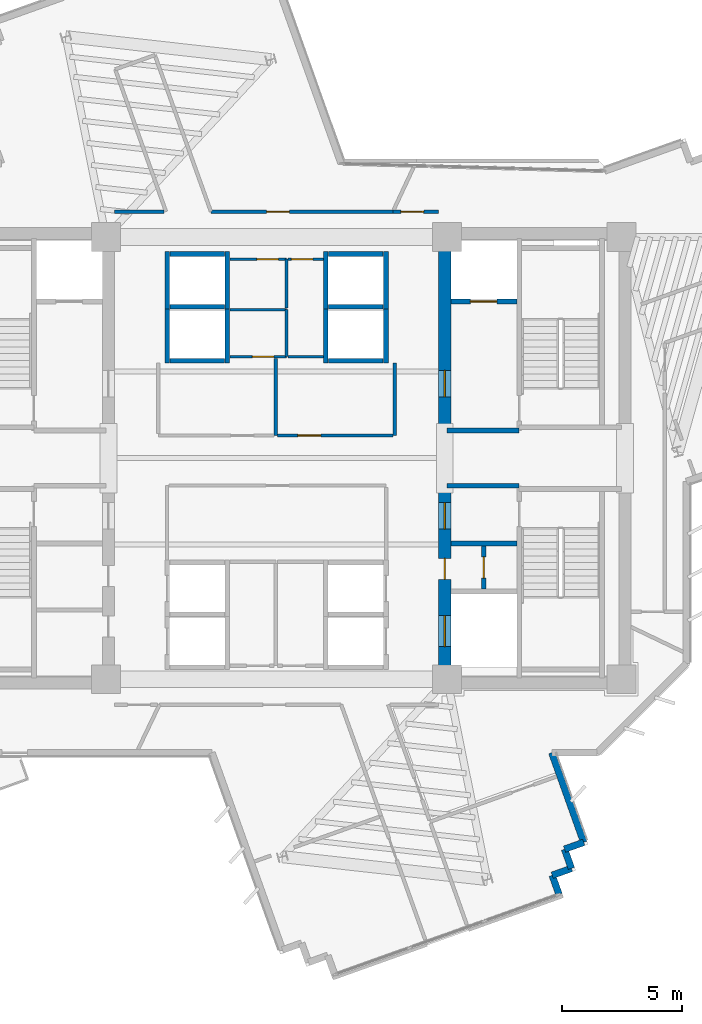
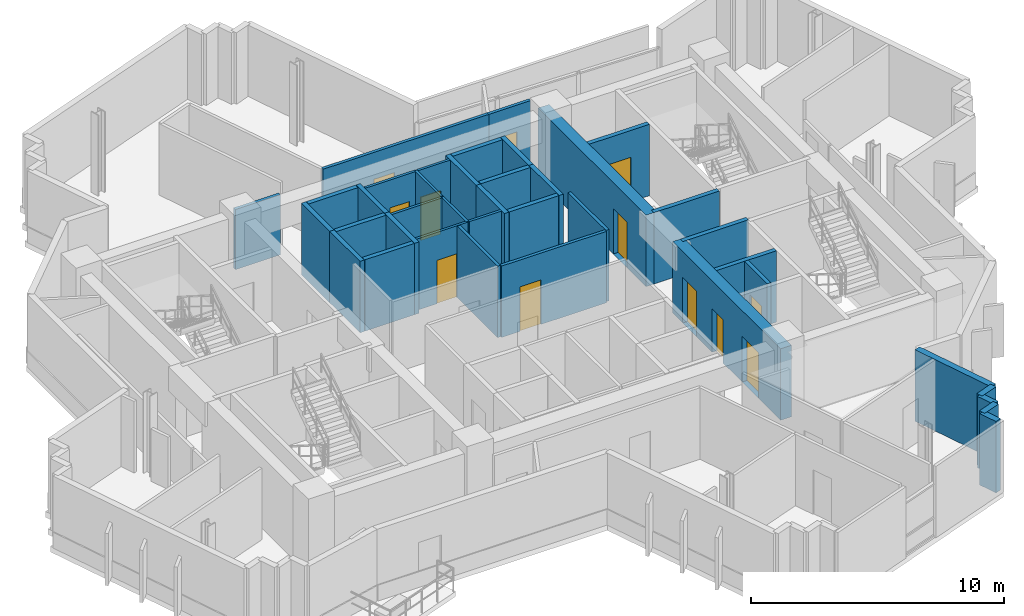
# One storey, part 8 of 13: 39 walls, 12 doors, 12 openings.
"""IFC4 building model written with IfcOpenShell, lengths in metres."""

from ifc_helpers import new_model, si_unit, direction, frame, frame_2d, origin, place, context, subcontext, project, spatial, rectangle, extrude, source, transform, mapped, material, layer, layer_set, type_object, element, fill, save


model = new_model("IFC4")

# Units and contexts
model_context = context("Model", 3, precision=1e-05, world=origin(), true_north=direction((0.0, 1.0)))
body_context = subcontext(model_context, "Body", "Model", "MODEL_VIEW")
ifc_project = project(units=[si_unit("LENGTHUNIT", "METRE"), si_unit("AREAUNIT", "SQUARE_METRE"), si_unit("VOLUMEUNIT", "CUBIC_METRE"), si_unit("PLANEANGLEUNIT", "RADIAN"), si_unit("MASSUNIT", "GRAM", prefix="KILO")], contexts=[model_context])

# Site, building, storey
site_placement = place(None, origin())
site = spatial("IfcSite", under=ifc_project, at=site_placement, CompositionType="ELEMENT")
building_placement = place(site_placement, origin())
building = spatial("IfcBuilding", under=site, at=building_placement, Name="Zahravan Cultural Tower", CompositionType="ELEMENT")
storey_placement = place(building_placement, frame((0.0, 0.0, 225.300048828125)))
storey = spatial("IfcBuildingStorey", under=building, at=storey_placement, Name="L53", CompositionType="ELEMENT", Elevation=225.300048828125)

# Wall, openings, doors
ifc_material_1 = material(Name="Concrete C60/75", Category="concrete")
ifc_layer_1 = layer(ifc_material_1, 0.5)
ifc_layer_set_1 = layer_set([ifc_layer_1], Name="Concrete C60/75")
wall_type_1 = type_object("IfcWallType", Name="CW-SHEAR-500-C60", PredefinedType="SHEAR", material=ifc_layer_set_1)
wall_1_placement = place(storey_placement, frame((43.0, 17.39990234375, 0.0), z_axis=(0.0, 0.0, 1.0), x_axis=(0.0, 1.0, 0.0)))
wall_1 = element("IfcWall", 1, at=wall_1_placement, inside=storey, type_object=wall_type_1, Name="L53 Core Shear Wall CW-E-WS-L53", PredefinedType="SHEAR", context=body_context, shape_type="SweptSolid", body=[
    extrude(rectangle(XDim=8.550048828125, YDim=0.5, at=frame_2d((4.27490234375, 0.0))), origin(), (0.0, 0.0, 1.0), 3.449951171875),
])
opening_1_placement = place(wall_1_placement, frame((6.64990234375, 0.0, 0.0)))
opening_1 = element("IfcOpeningElement", 2, at=opening_1_placement, cuts=wall_1, Name="Opening D-L53-08", PredefinedType="OPENING", context=body_context, shape_type="SweptSolid", body=[
    extrude(rectangle(XDim=1.10009765625, YDim=2.199951171875, at=frame_2d((0.550048828125, 1.10009765625))), frame((0.0, 0.260009765625, 0.0), z_axis=(0.0, -1.0, 0.0), x_axis=(1.0, 0.0, 0.0)), (0.0, 0.0, 1.0), 0.52001953125),
])
opening_2_placement = place(wall_1_placement, frame((1.75, 0.0, 0.0)))
opening_2 = element("IfcOpeningElement", 3, at=opening_2_placement, cuts=wall_1, Name="Opening LD-L53-03", PredefinedType="OPENING", context=body_context, shape_type="SweptSolid", body=[
    extrude(rectangle(XDim=1.300048828125, YDim=2.199951171875, at=frame_2d((0.64990234375, 1.10009765625))), frame((0.0, 0.260009765625, 0.0), z_axis=(0.0, -1.0, 0.0), x_axis=(1.0, 0.0, 0.0)), (0.0, 0.0, 1.0), 0.52001953125),
])
opening_3_placement = place(wall_1_placement, frame((4.550048828125, 0.0, 0.0)))
opening_3 = element("IfcOpeningElement", 4, at=opening_3_placement, cuts=wall_1, Name="Opening D-L53-11", PredefinedType="OPENING", context=body_context, shape_type="SweptSolid", body=[
    extrude(rectangle(XDim=0.8798828125, YDim=2.10009765625, at=frame_2d((0.43994140625, 1.050048828125))), frame((0.0, 0.260009765625, 0.0), z_axis=(0.0, -1.0, 0.0), x_axis=(1.0, 0.0, 0.0)), (0.0, 0.0, 1.0), 0.52001953125),
])
ifc_material_2 = material(Name="Steel ASTM A572 Grade 50", Category="steel")
door_type_1 = type_object("IfcDoorType", Name="DR-LOBBY-1100", OperationType="NOTDEFINED", PredefinedType="DOOR", material=ifc_material_2)
shared_shape_1 = source(origin(), body_context, "Body", "SweptSolid", [
    extrude(rectangle(XDim=1.10009765625, YDim=2.199951171875, at=frame_2d((0.550048828125, 1.10009765625))), frame((0.0, 0.02490234375, 0.0), z_axis=(0.0, -1.0, 0.0), x_axis=(1.0, 0.0, 0.0)), (0.0, 0.0, 1.0), 0.050048828125),
])
door_1_placement = place(opening_1_placement, origin())
door_1 = element("IfcDoor", 5, at=door_1_placement, inside=storey, type_object=door_type_1, Name="L53 Door D-L53-08", OperationType="SINGLE_SWING_RIGHT", OverallHeight=2.199951171875, OverallWidth=1.10009765625, PredefinedType="DOOR", context=body_context, shape_type="MappedRepresentation", body=[
    mapped(shared_shape_1, transform((0.0, 0.0, 0.0), x_axis=(1.0, 0.0, 0.0), y_axis=(0.0, 1.0, 0.0), z_axis=(0.0, 0.0, 1.0), scale=1.0)),
])
fill(opening_1, door_1)
door_type_2 = type_object("IfcDoorType", Name="DR-LIFT-1300", OperationType="DOUBLE_DOOR_SLIDING", PredefinedType="DOOR", material=ifc_material_2)
shared_shape_2 = source(origin(), body_context, "Body", "SweptSolid", [
    extrude(rectangle(XDim=1.300048828125, YDim=2.199951171875, at=frame_2d((0.64990234375, 1.10009765625))), frame((0.0, 0.02490234375, 0.0), z_axis=(0.0, -1.0, 0.0), x_axis=(1.0, 0.0, 0.0)), (0.0, 0.0, 1.0), 0.050048828125),
])
door_2_placement = place(opening_2_placement, origin())
door_2 = element("IfcDoor", 6, at=door_2_placement, inside=storey, type_object=door_type_2, Name="L53 Door LD-L53-03", OperationType="DOUBLE_DOOR_SLIDING", OverallHeight=2.199951171875, OverallWidth=1.300048828125, PredefinedType="DOOR", context=body_context, shape_type="MappedRepresentation", body=[
    mapped(shared_shape_2, transform((0.0, 0.0, 0.0), x_axis=(1.0, 0.0, 0.0), y_axis=(0.0, 1.0, 0.0), z_axis=(0.0, 0.0, 1.0), scale=1.0)),
])
fill(opening_2, door_2)
door_type_3 = type_object("IfcDoorType", Name="DR-SVC-880", OperationType="NOTDEFINED", PredefinedType="DOOR", material=ifc_material_2)
shared_shape_3 = source(origin(), body_context, "Body", "SweptSolid", [
    extrude(rectangle(XDim=0.8798828125, YDim=2.10009765625, at=frame_2d((0.43994140625, 1.050048828125))), frame((0.0, 0.02490234375, 0.0), z_axis=(0.0, -1.0, 0.0), x_axis=(1.0, 0.0, 0.0)), (0.0, 0.0, 1.0), 0.050048828125),
])
door_3_placement = place(opening_3_placement, origin())
door_3 = element("IfcDoor", 7, at=door_3_placement, inside=storey, type_object=door_type_3, Name="L53 Door D-L53-11", OperationType="SINGLE_SWING_LEFT", OverallHeight=2.10009765625, OverallWidth=0.8798828125, PredefinedType="DOOR", context=body_context, shape_type="MappedRepresentation", body=[
    mapped(shared_shape_3, transform((0.0, 0.0, 0.0), x_axis=(1.0, 0.0, 0.0), y_axis=(0.0, 1.0, 0.0), z_axis=(0.0, 0.0, 1.0), scale=1.0)),
])
fill(opening_3, door_3)

# Wall, opening, door
wall_2_placement = place(storey_placement, frame((43.0, 28.050048828125, 0.0), z_axis=(0.0, 0.0, 1.0), x_axis=(0.0, 1.0, 0.0)))
wall_2 = element("IfcWall", 8, at=wall_2_placement, inside=storey, type_object=wall_type_1, Name="L53 Core Shear Wall CW-E-WN-L53", PredefinedType="SHEAR", context=body_context, shape_type="SweptSolid", body=[
    extrude(rectangle(XDim=8.550048828125, YDim=0.5, at=frame_2d((4.27490234375, 0.0))), origin(), (0.0, 0.0, 1.0), 3.449951171875),
])
opening_4_placement = place(wall_2_placement, frame((1.5, 0.0, 0.0)))
opening_4 = element("IfcOpeningElement", 9, at=opening_4_placement, cuts=wall_2, Name="Opening D-L53-06", PredefinedType="OPENING", context=body_context, shape_type="SweptSolid", body=[
    extrude(rectangle(XDim=1.10009765625, YDim=2.199951171875, at=frame_2d((0.550048828125, 1.10009765625))), frame((0.0, 0.260009765625, 0.0), z_axis=(0.0, -1.0, 0.0), x_axis=(1.0, 0.0, 0.0)), (0.0, 0.0, 1.0), 0.52001953125),
])
door_4_placement = place(opening_4_placement, origin())
door_4 = element("IfcDoor", 10, at=door_4_placement, inside=storey, type_object=door_type_1, Name="L53 Door D-L53-06", OperationType="SINGLE_SWING_RIGHT", OverallHeight=2.199951171875, OverallWidth=1.10009765625, PredefinedType="DOOR", context=body_context, shape_type="MappedRepresentation", body=[
    mapped(shared_shape_1, transform((0.0, 0.0, 0.0), x_axis=(1.0, 0.0, 0.0), y_axis=(0.0, 1.0, 0.0), z_axis=(0.0, 0.0, 1.0), scale=1.0)),
])
fill(opening_4, door_4)

ifc_material_3 = material(Name="Gypsum plasterboard partition")
ifc_layer_2 = layer(ifc_material_3, 0.179931640625)
ifc_layer_set_2 = layer_set([ifc_layer_2], Name="Gypsum plasterboard partition")
wall_type_2 = type_object("IfcWallType", Name="W-COMP-180", PredefinedType="PARTITIONING", material=ifc_layer_set_2)
wall_3_placement = place(storey_placement, frame((44.6201171875, 21.550048828125, 0.0), z_axis=(0.0, 0.0, 1.0), x_axis=(0.0, 1.0, 0.0)))
wall_3 = element("IfcWall", 11, at=wall_3_placement, inside=storey, type_object=wall_type_2, Name="L53 Interior Wall 027", PredefinedType="PARTITIONING", context=body_context, shape_type="SweptSolid", body=[
    extrude(rectangle(XDim=1.800048828125, YDim=0.179931640625, at=frame_2d((0.89990234375, 0.0))), origin(), (0.0, 0.0, 1.0), 3.449951171875),
])
opening_5_placement = place(wall_3_placement, frame((0.4599609375, 0.0, 0.0)))
opening_5 = element("IfcOpeningElement", 12, at=opening_5_placement, cuts=wall_3, Name="Opening D-L53-12", PredefinedType="OPENING", context=body_context, shape_type="SweptSolid", body=[
    extrude(rectangle(XDim=0.8798828125, YDim=2.10009765625, at=frame_2d((0.43994140625, 1.050048828125))), frame((0.0, 0.099853515625, 0.0), z_axis=(0.0, -1.0, 0.0), x_axis=(1.0, 0.0, 0.0)), (0.0, 0.0, 1.0), 0.199951171875),
])
door_5_placement = place(opening_5_placement, origin())
door_5 = element("IfcDoor", 13, at=door_5_placement, inside=storey, type_object=door_type_3, Name="L53 Door D-L53-12", OperationType="SINGLE_SWING_RIGHT", OverallHeight=2.10009765625, OverallWidth=0.8798828125, PredefinedType="DOOR", context=body_context, shape_type="MappedRepresentation", body=[
    mapped(shared_shape_3, transform((0.0, 0.0, 0.0), x_axis=(1.0, 0.0, 0.0), y_axis=(0.0, 1.0, 0.0), z_axis=(0.0, 0.0, 1.0), scale=1.0)),
])
fill(opening_5, door_5)

ifc_layer_3 = layer(ifc_material_3, 0.139892578125)
ifc_layer_set_3 = layer_set([ifc_layer_3], Name="Gypsum plasterboard partition")
wall_type_3 = type_object("IfcWallType", Name="W-PART-140", PredefinedType="PARTITIONING", material=ifc_layer_set_3)
wall_4_placement = place(storey_placement, frame((40.844970703125, 27.93994140625, 0.0), z_axis=(0.0, 0.0, 1.0), x_axis=(-1.0, 0.0, 0.0)))
wall_4 = element("IfcWall", 14, at=wall_4_placement, inside=storey, type_object=wall_type_3, Name="L53 Interior Wall 082", PredefinedType="PARTITIONING", context=body_context, shape_type="SweptSolid", body=[
    extrude(rectangle(XDim=4.800048828125, YDim=0.139892578125, at=frame_2d((2.39990234375, 0.0))), origin(), (0.0, 0.0, 1.0), 3.449951171875),
])
opening_6_placement = place(wall_4_placement, frame((3.0029296875, 0.0, 0.0)))
opening_6 = element("IfcOpeningElement", 15, at=opening_6_placement, cuts=wall_4, Name="Opening D-L53-17", PredefinedType="OPENING", context=body_context, shape_type="SweptSolid", body=[
    extrude(rectangle(XDim=0.949951171875, YDim=2.14990234375, at=frame_2d((0.47509765625, 1.074951171875))), frame((0.0, 0.079833984375, 0.0), z_axis=(0.0, -1.0, 0.0), x_axis=(1.0, 0.0, 0.0)), (0.0, 0.0, 1.0), 0.159912109375),
])
ifc_material_4 = material(Name="Anodised bronze-aluminium mullion", Category="aluminium")
door_type_4 = type_object("IfcDoorType", Name="DR-ROOM-950", OperationType="NOTDEFINED", PredefinedType="DOOR", material=ifc_material_4)
shared_shape_4 = source(origin(), body_context, "Body", "SweptSolid", [
    extrude(rectangle(XDim=0.949951171875, YDim=2.14990234375, at=frame_2d((0.47509765625, 1.074951171875))), frame((0.0, 0.02490234375, 0.0), z_axis=(0.0, -1.0, 0.0), x_axis=(1.0, 0.0, 0.0)), (0.0, 0.0, 1.0), 0.050048828125),
])
door_6_placement = place(opening_6_placement, origin())
door_6 = element("IfcDoor", 16, at=door_6_placement, inside=storey, type_object=door_type_4, Name="L53 Door D-L53-17", OperationType="SINGLE_SWING_LEFT", OverallHeight=2.14990234375, OverallWidth=0.949951171875, PredefinedType="DOOR", context=body_context, shape_type="MappedRepresentation", body=[
    mapped(shared_shape_4, transform((0.0, 0.0, 0.0), x_axis=(1.0, 0.0, 0.0), y_axis=(0.0, 1.0, 0.0), z_axis=(0.0, 0.0, 1.0), scale=1.0)),
])
fill(opening_6, door_6)

wall_5_placement = place(storey_placement, frame((42.748291015625, 37.25732421875, 0.0), z_axis=(0.0, 0.0, 1.0), x_axis=(-0.999999008896, 0.001407908498, 0.0)))
wall_5 = element("IfcWall", 17, at=wall_5_placement, inside=storey, type_object=wall_type_3, Name="L53 Interior Wall 102", PredefinedType="PARTITIONING", context=body_context, shape_type="SweptSolid", body=[
    extrude(rectangle(XDim=1.907470703125, YDim=0.139892578125, at=frame_2d((0.95361328125, 0.0))), origin(), (0.0, 0.0, 1.0), 3.449951171875),
])
opening_7_placement = place(wall_5_placement, frame((0.622314453125, 0.0, 0.0)))
opening_7 = element("IfcOpeningElement", 18, at=opening_7_placement, cuts=wall_5, Name="Opening D-L53-22", PredefinedType="OPENING", context=body_context, shape_type="SweptSolid", body=[
    extrude(rectangle(XDim=0.949951171875, YDim=2.14990234375, at=frame_2d((0.47509765625, 1.074951171875))), frame((0.0, 0.079833984375, 0.0), z_axis=(0.0, -1.0, 0.0), x_axis=(1.0, 0.0, 0.0)), (0.0, 0.0, 1.0), 0.159912109375),
])
door_7_placement = place(opening_7_placement, origin())
door_7 = element("IfcDoor", 19, at=door_7_placement, inside=storey, type_object=door_type_4, Name="L53 Door D-L53-22", OperationType="SINGLE_SWING_RIGHT", OverallHeight=2.14990234375, OverallWidth=0.949951171875, PredefinedType="DOOR", context=body_context, shape_type="MappedRepresentation", body=[
    mapped(shared_shape_4, transform((0.0, 0.0, 0.0), x_axis=(1.0, 0.0, 0.0), y_axis=(0.0, 1.0, 0.0), z_axis=(0.0, 0.0, 1.0), scale=1.0)),
])
fill(opening_7, door_7)

wall_6_placement = place(storey_placement, frame((40.8408203125, 37.260009765625, 0.0), z_axis=(0.0, 0.0, 1.0), x_axis=(-1.0, 0.0, 0.0)))
wall_6 = element("IfcWall", 20, at=wall_6_placement, inside=storey, type_object=wall_type_3, Name="L53 Interior Wall 109", PredefinedType="PARTITIONING", context=body_context, shape_type="SweptSolid", body=[
    extrude(rectangle(XDim=7.5732421875, YDim=0.139892578125, at=frame_2d((3.78662109375, 0.0))), origin(), (0.0, 0.0, 1.0), 3.449951171875),
])
opening_8_placement = place(wall_6_placement, frame((4.304931640625, 0.0, 0.0)))
opening_8 = element("IfcOpeningElement", 21, at=opening_8_placement, cuts=wall_6, Name="Opening D-L53-23", PredefinedType="OPENING", context=body_context, shape_type="SweptSolid", body=[
    extrude(rectangle(XDim=0.949951171875, YDim=2.14990234375, at=frame_2d((0.47509765625, 1.074951171875))), frame((0.0, 0.079833984375, 0.0), z_axis=(0.0, -1.0, 0.0), x_axis=(1.0, 0.0, 0.0)), (0.0, 0.0, 1.0), 0.159912109375),
])
door_8_placement = place(opening_8_placement, origin())
door_8 = element("IfcDoor", 22, at=door_8_placement, inside=storey, type_object=door_type_4, Name="L53 Door D-L53-23", OperationType="SINGLE_SWING_LEFT", OverallHeight=2.14990234375, OverallWidth=0.949951171875, PredefinedType="DOOR", context=body_context, shape_type="MappedRepresentation", body=[
    mapped(shared_shape_4, transform((0.0, 0.0, 0.0), x_axis=(1.0, 0.0, 0.0), y_axis=(0.0, 1.0, 0.0), z_axis=(0.0, 0.0, 1.0), scale=1.0)),
])
fill(opening_8, door_8)

ifc_material_5 = material(Name="Concrete C45/55", Category="concrete")
ifc_layer_4 = layer(ifc_material_5, 0.199951171875)
ifc_layer_set_4 = layer_set([ifc_layer_4], Name="Concrete C45/55")
wall_type_4 = type_object("IfcWallType", Name="W-SHAFT-200", PredefinedType="SOLIDWALL", material=ifc_layer_set_4)
wall_7_placement = place(storey_placement, frame((43.25, 33.52001953125, 0.0), z_axis=(0.0, 0.0, 1.0), x_axis=(1.0, 0.0, 0.0)))
wall_7 = element("IfcWall", 23, at=wall_7_placement, inside=storey, type_object=wall_type_4, Name="L53 Interior Wall 022", PredefinedType="SOLIDWALL", context=body_context, shape_type="SweptSolid", body=[
    extrude(rectangle(XDim=2.75, YDim=0.199951171875, at=frame_2d((1.375, 0.0))), origin(), (0.0, 0.0, 1.0), 3.449951171875),
])
opening_9_placement = place(wall_7_placement, frame((0.820068359375, 0.0, 0.0)))
opening_9 = element("IfcOpeningElement", 24, at=opening_9_placement, cuts=wall_7, Name="Opening LD-L53-02", PredefinedType="OPENING", context=body_context, shape_type="SweptSolid", body=[
    extrude(rectangle(XDim=1.10009765625, YDim=2.14990234375, at=frame_2d((0.550048828125, 1.074951171875))), frame((0.0, 0.10986328125, 0.0), z_axis=(0.0, -1.0, 0.0), x_axis=(1.0, 0.0, 0.0)), (0.0, 0.0, 1.0), 0.219970703125),
])
door_type_5 = type_object("IfcDoorType", Name="DR-LIFT-1100", OperationType="DOUBLE_DOOR_SLIDING", PredefinedType="DOOR", material=ifc_material_2)
shared_shape_5 = source(origin(), body_context, "Body", "SweptSolid", [
    extrude(rectangle(XDim=1.10009765625, YDim=2.14990234375, at=frame_2d((0.550048828125, 1.074951171875))), frame((0.0, 0.02490234375, 0.0), z_axis=(0.0, -1.0, 0.0), x_axis=(1.0, 0.0, 0.0)), (0.0, 0.0, 1.0), 0.050048828125),
])
door_9_placement = place(opening_9_placement, origin())
door_9 = element("IfcDoor", 25, at=door_9_placement, inside=storey, type_object=door_type_5, Name="L53 Door LD-L53-02", OperationType="DOUBLE_DOOR_SLIDING", OverallHeight=2.14990234375, OverallWidth=1.10009765625, PredefinedType="DOOR", context=body_context, shape_type="MappedRepresentation", body=[
    mapped(shared_shape_5, transform((0.0, 0.0, 0.0), x_axis=(1.0, 0.0, 0.0), y_axis=(0.0, 1.0, 0.0), z_axis=(0.0, 0.0, 1.0), scale=1.0)),
])
fill(opening_9, door_9)

ifc_layer_5 = layer(ifc_material_3, 0.114990234375)
ifc_layer_set_5 = layer_set([ifc_layer_5], Name="Gypsum plasterboard partition")
wall_type_5 = type_object("IfcWallType", Name="W-WC-115", PredefinedType="PARTITIONING", material=ifc_layer_set_5)
wall_8_placement = place(storey_placement, frame((36.409912109375, 31.219970703125, 0.0), z_axis=(0.0, 0.0, 1.0), x_axis=(-1.0, 0.0, 0.0)))
wall_8 = element("IfcWall", 26, at=wall_8_placement, inside=storey, type_object=wall_type_5, Name="L53 Interior Wall 056", PredefinedType="PARTITIONING", context=body_context, shape_type="SweptSolid", body=[
    extrude(rectangle(XDim=2.35498046875, YDim=0.114990234375, at=frame_2d((1.177490234375, 0.0))), origin(), (0.0, 0.0, 1.0), 3.449951171875),
])
opening_10_placement = place(wall_8_placement, frame((0.5166015625, 0.0, 0.0)))
opening_10 = element("IfcOpeningElement", 27, at=opening_10_placement, cuts=wall_8, Name="Opening D-L53-29", PredefinedType="OPENING", context=body_context, shape_type="SweptSolid", body=[
    extrude(rectangle(XDim=0.89990234375, YDim=2.10009765625, at=frame_2d((0.449951171875, 1.050048828125))), frame((0.0, 0.0673828125, 0.0), z_axis=(0.0, -1.0, 0.0), x_axis=(1.0, 0.0, 0.0)), (0.0, 0.0, 1.0), 0.135009765625),
])
door_type_6 = type_object("IfcDoorType", Name="DR-WC-900", OperationType="NOTDEFINED", PredefinedType="DOOR", material=ifc_material_4)
shared_shape_6 = source(origin(), body_context, "Body", "SweptSolid", [
    extrude(rectangle(XDim=0.89990234375, YDim=2.10009765625, at=frame_2d((0.449951171875, 1.050048828125))), frame((0.0, 0.02490234375, 0.0), z_axis=(0.0, -1.0, 0.0), x_axis=(1.0, 0.0, 0.0)), (0.0, 0.0, 1.0), 0.050048828125),
])
door_10_placement = place(opening_10_placement, origin())
door_10 = element("IfcDoor", 28, at=door_10_placement, inside=storey, type_object=door_type_6, Name="L53 Door D-L53-29", OperationType="SINGLE_SWING_LEFT", OverallHeight=2.10009765625, OverallWidth=0.89990234375, PredefinedType="DOOR", context=body_context, shape_type="MappedRepresentation", body=[
    mapped(shared_shape_6, transform((0.0, 0.0, 0.0), x_axis=(1.0, 0.0, 0.0), y_axis=(0.0, 1.0, 0.0), z_axis=(0.0, 0.0, 1.0), scale=1.0)),
])
fill(opening_10, door_10)

wall_9_placement = place(storey_placement, frame((34.054931640625, 35.280029296875, 0.0), z_axis=(0.0, 0.0, 1.0), x_axis=(1.0, 0.0, 0.0)))
wall_9 = element("IfcWall", 29, at=wall_9_placement, inside=storey, type_object=wall_type_5, Name="L53 Interior Wall 059", PredefinedType="PARTITIONING", context=body_context, shape_type="SweptSolid", body=[
    extrude(rectangle(XDim=2.35498046875, YDim=0.114990234375, at=frame_2d((1.177490234375, 0.0))), origin(), (0.0, 0.0, 1.0), 3.449951171875),
])
opening_11_placement = place(wall_9_placement, frame((1.120849609375, 0.0, 0.0)))
opening_11 = element("IfcOpeningElement", 30, at=opening_11_placement, cuts=wall_9, Name="Opening D-L53-14", PredefinedType="OPENING", context=body_context, shape_type="SweptSolid", body=[
    extrude(rectangle(XDim=0.89990234375, YDim=2.10009765625, at=frame_2d((0.449951171875, 1.050048828125))), frame((0.0, 0.0673828125, 0.0), z_axis=(0.0, -1.0, 0.0), x_axis=(1.0, 0.0, 0.0)), (0.0, 0.0, 1.0), 0.135009765625),
])
door_11_placement = place(opening_11_placement, origin())
door_11 = element("IfcDoor", 31, at=door_11_placement, inside=storey, type_object=door_type_6, Name="L53 Door D-L53-14", OperationType="SINGLE_SWING_RIGHT", OverallHeight=2.10009765625, OverallWidth=0.89990234375, PredefinedType="DOOR", context=body_context, shape_type="MappedRepresentation", body=[
    mapped(shared_shape_6, transform((0.0, 0.0, 0.0), x_axis=(1.0, 0.0, 0.0), y_axis=(0.0, 1.0, 0.0), z_axis=(0.0, 0.0, 1.0), scale=1.0)),
])
fill(opening_11, door_11)

wall_10_placement = place(storey_placement, frame((36.472412109375, 35.280029296875, 0.0), z_axis=(0.0, 0.0, 1.0), x_axis=(1.0, 0.0, 0.0)))
wall_10 = element("IfcWall", 32, at=wall_10_placement, inside=storey, type_object=wall_type_5, Name="L53 Interior Wall 062", PredefinedType="PARTITIONING", context=body_context, shape_type="SweptSolid", body=[
    extrude(rectangle(XDim=1.47265625, YDim=0.114990234375, at=frame_2d((0.736328125, 0.0))), origin(), (0.0, 0.0, 1.0), 3.449951171875),
])
opening_12_placement = place(wall_10_placement, frame((0.139892578125, 0.0, 0.0)))
opening_12 = element("IfcOpeningElement", 33, at=opening_12_placement, cuts=wall_10, Name="Opening D-L53-15", PredefinedType="OPENING", context=body_context, shape_type="SweptSolid", body=[
    extrude(rectangle(XDim=0.89990234375, YDim=2.10009765625, at=frame_2d((0.449951171875, 1.050048828125))), frame((0.0, 0.0673828125, 0.0), z_axis=(0.0, -1.0, 0.0), x_axis=(1.0, 0.0, 0.0)), (0.0, 0.0, 1.0), 0.135009765625),
])
door_12_placement = place(opening_12_placement, origin())
door_12 = element("IfcDoor", 34, at=door_12_placement, inside=storey, type_object=door_type_6, Name="L53 Door D-L53-15", OperationType="SINGLE_SWING_LEFT", OverallHeight=2.10009765625, OverallWidth=0.89990234375, PredefinedType="DOOR", context=body_context, shape_type="MappedRepresentation", body=[
    mapped(shared_shape_6, transform((0.0, 0.0, 0.0), x_axis=(1.0, 0.0, 0.0), y_axis=(0.0, 1.0, 0.0), z_axis=(0.0, 0.0, 1.0), scale=1.0)),
])
fill(opening_12, door_12)

# Walls
ifc_material_6 = material(Name="Precast concrete C40/50", Category="concrete")
ifc_layer_6 = layer(ifc_material_6, 0.280029296875)
ifc_layer_set_6 = layer_set([ifc_layer_6], Name="Precast concrete C40/50")
wall_type_6 = type_object("IfcWallType", Name="EW-TC-280", PredefinedType="SOLIDWALL", material=ifc_layer_set_6)
shared_shape_7 = source(origin(), body_context, "Body", "SweptSolid", [
    extrude(rectangle(XDim=0.849853515625, YDim=0.280029296875, at=frame_2d((0.4248046875, 0.0))), origin(), (0.0, 0.0, 1.0), 3.449951171875),
])
for number, where, z_axis, x_axis, name in (
    (35, (47.986572265625, 10.724609375, 0.0), (0.0, 0.0, 1.0), (0.33666392638, -0.941624872587, 0.0), "L53 Exterior Masonry Frame Wall 17"),
    (36, (48.272705078125, 9.92431640625, 0.0), (0.0, 0.0, 1.0), (-0.941624872587, -0.33666392638, 0.0), "L53 Exterior Masonry Frame Wall 18"),
    (37, (47.472412109375, 9.63818359375, 0.0), (0.0, 0.0, 1.0), (0.336409191858, -0.941715910258, 0.0), "L53 Exterior Masonry Frame Wall 19"),
):
    element("IfcWall", number, at=place(storey_placement, frame(where, z_axis=z_axis, x_axis=x_axis)), inside=storey, type_object=wall_type_6, Name=name, PredefinedType="SOLIDWALL", context=body_context, shape_type="MappedRepresentation", body=[
        mapped(shared_shape_7, transform((0.0, 0.0, 0.0), x_axis=(1.0, 0.0, 0.0), y_axis=(0.0, 1.0, 0.0), z_axis=(0.0, 0.0, 1.0), scale=1.0)),
    ])
shared_shape_8 = source(origin(), body_context, "Body", "SweptSolid", [
    extrude(rectangle(XDim=0.85009765625, YDim=0.280029296875, at=frame_2d((0.425048828125, 0.0))), origin(), (0.0, 0.0, 1.0), 3.449951171875),
])
wall_11_placement = place(storey_placement, frame((48.787109375, 11.0107421875, 0.0), z_axis=(0.0, 0.0, 1.0), x_axis=(-0.941657417713, -0.336572886112, 0.0)))
element("IfcWall", 38, at=wall_11_placement, inside=storey, type_object=wall_type_6, Name="L53 Exterior Masonry Frame Wall 16", PredefinedType="SOLIDWALL", context=body_context, shape_type="MappedRepresentation", body=[
    mapped(shared_shape_8, transform((0.0, 0.0, 0.0), x_axis=(1.0, 0.0, 0.0), y_axis=(0.0, 1.0, 0.0), z_axis=(0.0, 0.0, 1.0), scale=1.0)),
])
shared_shape_9 = source(origin(), body_context, "Body", "SweptSolid", [
    extrude(rectangle(XDim=3.96044921875, YDim=0.280029296875, at=frame_2d((1.980224609375, 0.0))), origin(), (0.0, 0.0, 1.0), 3.449951171875),
])
wall_12_placement = place(storey_placement, frame((47.4541015625, 14.739990234375, 0.0), z_axis=(0.0, 0.0, 1.0), x_axis=(0.336590223561, -0.941651220677, 0.0)))
element("IfcWall", 39, at=wall_12_placement, inside=storey, type_object=wall_type_6, Name="L53 Exterior Masonry Frame Wall 15", PredefinedType="SOLIDWALL", context=body_context, shape_type="MappedRepresentation", body=[
    mapped(shared_shape_9, transform((0.0, 0.0, 0.0), x_axis=(1.0, 0.0, 0.0), y_axis=(0.0, 1.0, 0.0), z_axis=(0.0, 0.0, 1.0), scale=1.0)),
])
shared_shape_10 = source(origin(), body_context, "Body", "SweptSolid", [
    extrude(rectangle(XDim=3.0, YDim=0.199951171875, at=frame_2d((1.5, 0.0))), origin(), (0.0, 0.0, 1.0), 3.449951171875),
])
for number, where, z_axis, x_axis, name in (
    (40, (43.10009765625, 25.85009765625, 0.0), (0.0, 0.0, 1.0), (1.0, 0.0, 0.0), "L53 Interior Wall 013"),
    (41, (43.10009765625, 28.14990234375, 0.0), (0.0, 0.0, 1.0), (1.0, 0.0, 0.0), "L53 Interior Wall 015"),
):
    element("IfcWall", number, at=place(storey_placement, frame(where, z_axis=z_axis, x_axis=x_axis)), inside=storey, type_object=wall_type_4, Name=name, PredefinedType="SOLIDWALL", context=body_context, shape_type="MappedRepresentation", body=[
        mapped(shared_shape_10, transform((0.0, 0.0, 0.0), x_axis=(1.0, 0.0, 0.0), y_axis=(0.0, 1.0, 0.0), z_axis=(0.0, 0.0, 1.0), scale=1.0)),
    ])
shared_shape_11 = source(origin(), body_context, "Body", "SweptSolid", [
    extrude(rectangle(XDim=2.75, YDim=0.199951171875, at=frame_2d((1.375, 0.0))), origin(), (0.0, 0.0, 1.0), 3.449951171875),
])
wall_13_placement = place(storey_placement, frame((43.25, 23.449951171875, 0.0), z_axis=(0.0, 0.0, 1.0), x_axis=(1.0, 0.0, 0.0)))
element("IfcWall", 42, at=wall_13_placement, inside=storey, type_object=wall_type_4, Name="L53 Interior Wall 024", PredefinedType="SOLIDWALL", context=body_context, shape_type="MappedRepresentation", body=[
    mapped(shared_shape_11, transform((0.0, 0.0, 0.0), x_axis=(1.0, 0.0, 0.0), y_axis=(0.0, 1.0, 0.0), z_axis=(0.0, 0.0, 1.0), scale=1.0)),
])
shared_shape_12 = source(origin(), body_context, "Body", "SweptSolid", [
    extrude(rectangle(XDim=2.400146484375, YDim=0.199951171875, at=frame_2d((1.2001953125, 0.0))), origin(), (0.0, 0.0, 1.0), 3.449951171875),
])
for number, where, z_axis, x_axis, name in (
    (43, (31.449951171875, 33.199951171875, 0.0), (0.0, 0.0, 1.0), (0.0, 1.0, 0.0), "L53 Interior Wall 028"),
    (44, (33.949951171875, 33.199951171875, 0.0), (0.0, 0.0, 1.0), (0.0, 1.0, 0.0), "L53 Interior Wall 029"),
    (45, (31.449951171875, 30.949951171875, 0.0), (0.0, 0.0, 1.0), (0.0, 1.0, 0.0), "L53 Interior Wall 032"),
    (46, (33.949951171875, 30.949951171875, 0.0), (0.0, 0.0, 1.0), (0.0, 1.0, 0.0), "L53 Interior Wall 033"),
    (47, (38.050048828125, 33.199951171875, 0.0), (0.0, 0.0, 1.0), (0.0, 1.0, 0.0), "L53 Interior Wall 035"),
    (48, (40.550048828125, 33.199951171875, 0.0), (0.0, 0.0, 1.0), (0.0, 1.0, 0.0), "L53 Interior Wall 036"),
    (49, (38.050048828125, 30.949951171875, 0.0), (0.0, 0.0, 1.0), (0.0, 1.0, 0.0), "L53 Interior Wall 039"),
    (50, (40.550048828125, 30.949951171875, 0.0), (0.0, 0.0, 1.0), (0.0, 1.0, 0.0), "L53 Interior Wall 040"),
):
    element("IfcWall", number, at=place(storey_placement, frame(where, z_axis=z_axis, x_axis=x_axis)), inside=storey, type_object=wall_type_4, Name=name, PredefinedType="SOLIDWALL", context=body_context, shape_type="MappedRepresentation", body=[
        mapped(shared_shape_12, transform((0.0, 0.0, 0.0), x_axis=(1.0, 0.0, 0.0), y_axis=(0.0, 1.0, 0.0), z_axis=(0.0, 0.0, 1.0), scale=1.0)),
    ])
shared_shape_13 = source(origin(), body_context, "Body", "SweptSolid", [
    extrude(rectangle(XDim=2.260009765625, YDim=0.199951171875, at=frame_2d((1.1298828125, 0.0))), origin(), (0.0, 0.0, 1.0), 3.449951171875),
])
for number, where, z_axis, x_axis, name in (
    (51, (31.570068359375, 33.300048828125, 0.0), (0.0, 0.0, 1.0), (1.0, 0.0, 0.0), "L53 Interior Wall 030"),
    (52, (31.570068359375, 35.5, 0.0), (0.0, 0.0, 1.0), (1.0, 0.0, 0.0), "L53 Interior Wall 031"),
    (53, (31.570068359375, 31.050048828125, 0.0), (0.0, 0.0, 1.0), (1.0, 0.0, 0.0), "L53 Interior Wall 034"),
    (54, (38.169921875, 33.300048828125, 0.0), (0.0, 0.0, 1.0), (1.0, 0.0, 0.0), "L53 Interior Wall 037"),
    (55, (38.169921875, 35.5, 0.0), (0.0, 0.0, 1.0), (1.0, 0.0, 0.0), "L53 Interior Wall 038"),
    (56, (38.169921875, 31.050048828125, 0.0), (0.0, 0.0, 1.0), (1.0, 0.0, 0.0), "L53 Interior Wall 041"),
):
    element("IfcWall", number, at=place(storey_placement, frame(where, z_axis=z_axis, x_axis=x_axis)), inside=storey, type_object=wall_type_4, Name=name, PredefinedType="SOLIDWALL", context=body_context, shape_type="MappedRepresentation", body=[
        mapped(shared_shape_13, transform((0.0, 0.0, 0.0), x_axis=(1.0, 0.0, 0.0), y_axis=(0.0, 1.0, 0.0), z_axis=(0.0, 0.0, 1.0), scale=1.0)),
    ])
shared_shape_14 = source(origin(), body_context, "Body", "SweptSolid", [
    extrude(rectangle(XDim=2.35498046875, YDim=0.114990234375, at=frame_2d((1.177490234375, 0.0))), origin(), (0.0, 0.0, 1.0), 3.449951171875),
])
wall_14_placement = place(storey_placement, frame((34.054931640625, 33.179931640625, 0.0), z_axis=(0.0, 0.0, 1.0), x_axis=(1.0, 0.0, 0.0)))
element("IfcWall", 57, at=wall_14_placement, inside=storey, type_object=wall_type_5, Name="L53 Interior Wall 057", PredefinedType="PARTITIONING", context=body_context, shape_type="MappedRepresentation", body=[
    mapped(shared_shape_14, transform((0.0, 0.0, 0.0), x_axis=(1.0, 0.0, 0.0), y_axis=(0.0, 1.0, 0.0), z_axis=(0.0, 0.0, 1.0), scale=1.0)),
])
shared_shape_15 = source(origin(), body_context, "Body", "SweptSolid", [
    extrude(rectangle(XDim=1.9599609375, YDim=0.114990234375, at=frame_2d((0.97998046875, 0.0))), origin(), (0.0, 0.0, 1.0), 3.449951171875),
])
wall_15_placement = place(storey_placement, frame((36.409912109375, 33.179931640625, 0.0), z_axis=(0.0, 0.0, 1.0), x_axis=(0.0, -1.0, 0.0)))
element("IfcWall", 58, at=wall_15_placement, inside=storey, type_object=wall_type_5, Name="L53 Interior Wall 058", PredefinedType="PARTITIONING", context=body_context, shape_type="MappedRepresentation", body=[
    mapped(shared_shape_15, transform((0.0, 0.0, 0.0), x_axis=(1.0, 0.0, 0.0), y_axis=(0.0, 1.0, 0.0), z_axis=(0.0, 0.0, 1.0), scale=1.0)),
])
shared_shape_16 = source(origin(), body_context, "Body", "SweptSolid", [
    extrude(rectangle(XDim=2.0400390625, YDim=0.114990234375, at=frame_2d((1.02001953125, 0.0))), origin(), (0.0, 0.0, 1.0), 3.449951171875),
])
wall_16_placement = place(storey_placement, frame((36.409912109375, 35.280029296875, 0.0), z_axis=(0.0, 0.0, 1.0), x_axis=(0.0, -1.0, 0.0)))
element("IfcWall", 59, at=wall_16_placement, inside=storey, type_object=wall_type_5, Name="L53 Interior Wall 060", PredefinedType="PARTITIONING", context=body_context, shape_type="MappedRepresentation", body=[
    mapped(shared_shape_16, transform((0.0, 0.0, 0.0), x_axis=(1.0, 0.0, 0.0), y_axis=(0.0, 1.0, 0.0), z_axis=(0.0, 0.0, 1.0), scale=1.0)),
])
shared_shape_17 = source(origin(), body_context, "Body", "SweptSolid", [
    extrude(rectangle(XDim=1.47265625, YDim=0.114990234375, at=frame_2d((0.736328125, 0.0))), origin(), (0.0, 0.0, 1.0), 3.449951171875),
])
wall_17_placement = place(storey_placement, frame((37.945068359375, 31.219970703125, 0.0), z_axis=(0.0, 0.0, 1.0), x_axis=(-1.0, 0.0, 0.0)))
element("IfcWall", 60, at=wall_17_placement, inside=storey, type_object=wall_type_5, Name="L53 Interior Wall 061", PredefinedType="PARTITIONING", context=body_context, shape_type="MappedRepresentation", body=[
    mapped(shared_shape_17, transform((0.0, 0.0, 0.0), x_axis=(1.0, 0.0, 0.0), y_axis=(0.0, 1.0, 0.0), z_axis=(0.0, 0.0, 1.0), scale=1.0)),
])
shared_shape_18 = source(origin(), body_context, "Body", "SweptSolid", [
    extrude(rectangle(XDim=3.199951171875, YDim=0.139892578125, at=frame_2d((1.60009765625, 0.0))), origin(), (0.0, 0.0, 1.0), 3.449951171875),
])
wall_18_placement = place(storey_placement, frame((35.969970703125, 31.139892578125, 0.0), z_axis=(0.0, 0.0, 1.0), x_axis=(0.0, -1.0, 0.0)))
element("IfcWall", 61, at=wall_18_placement, inside=storey, type_object=wall_type_3, Name="L53 Interior Wall 078", PredefinedType="PARTITIONING", context=body_context, shape_type="MappedRepresentation", body=[
    mapped(shared_shape_18, transform((0.0, 0.0, 0.0), x_axis=(1.0, 0.0, 0.0), y_axis=(0.0, 1.0, 0.0), z_axis=(0.0, 0.0, 1.0), scale=1.0)),
])
shared_shape_19 = source(origin(), body_context, "Body", "SweptSolid", [
    extrude(rectangle(XDim=3.010009765625, YDim=0.139892578125, at=frame_2d((1.5048828125, 0.0))), origin(), (0.0, 0.0, 1.0), 3.449951171875),
])
wall_19_placement = place(storey_placement, frame((40.919921875, 30.949951171875, 0.0), z_axis=(0.0, 0.0, 1.0), x_axis=(0.0, -1.0, 0.0)))
element("IfcWall", 62, at=wall_19_placement, inside=storey, type_object=wall_type_3, Name="L53 Interior Wall 081", PredefinedType="PARTITIONING", context=body_context, shape_type="MappedRepresentation", body=[
    mapped(shared_shape_19, transform((0.0, 0.0, 0.0), x_axis=(1.0, 0.0, 0.0), y_axis=(0.0, 1.0, 0.0), z_axis=(0.0, 0.0, 1.0), scale=1.0)),
])
shared_shape_20 = source(origin(), body_context, "Body", "SweptSolid", [
    extrude(rectangle(XDim=2.06396484375, YDim=0.139892578125, at=frame_2d((1.031982421875, 0.0))), origin(), (0.0, 0.0, 1.0), 2.908935546875),
])
wall_20_placement = place(storey_placement, frame((31.31884765625, 37.260009765625, 0.0), z_axis=(0.0, 0.0, 1.0), x_axis=(-0.999999825102, -0.000591435903, 0.0)))
element("IfcWall", 63, at=wall_20_placement, inside=storey, type_object=wall_type_3, Name="L53 Interior Wall 113", PredefinedType="PARTITIONING", context=body_context, shape_type="MappedRepresentation", body=[
    mapped(shared_shape_20, transform((0.0, 0.0, 0.0), x_axis=(1.0, 0.0, 0.0), y_axis=(0.0, 1.0, 0.0), z_axis=(0.0, 0.0, 1.0), scale=1.0)),
])

save(model, "model.ifc")
